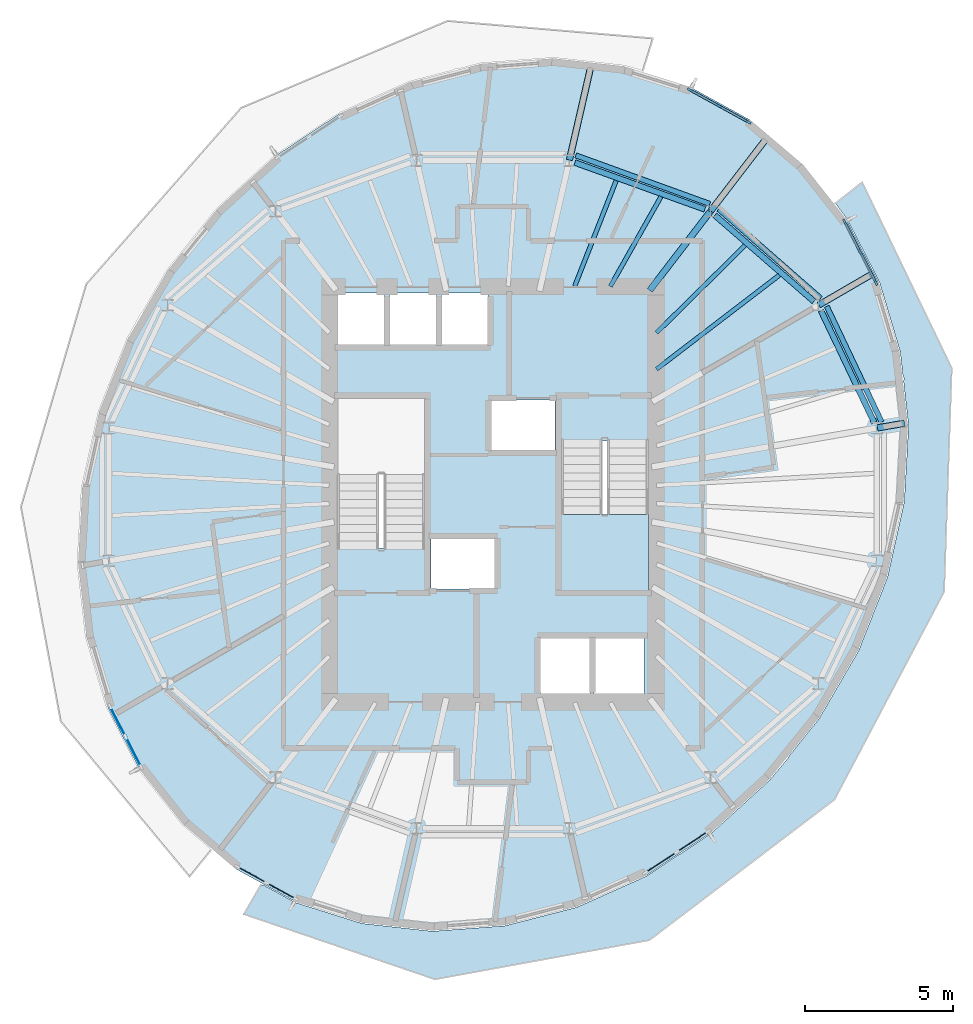
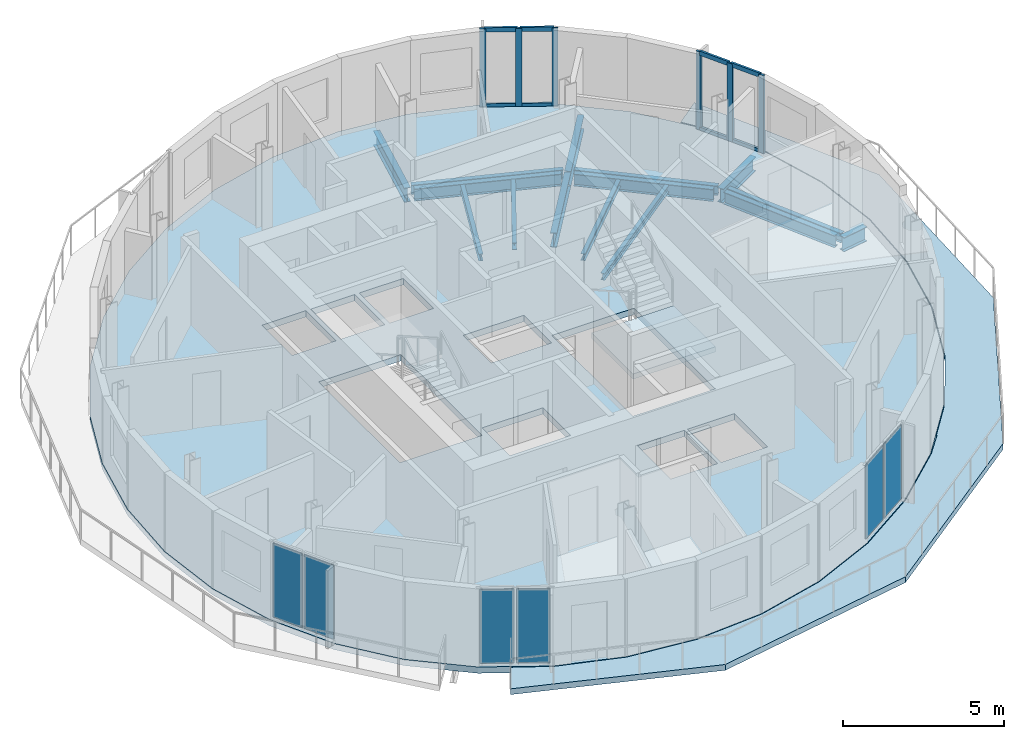
# One storey, part 3 of 11: 15 beams, 14 members, 6 plates, 3 slabs, 6 elements without a shape of their own.
"""IFC4 building model written with IfcOpenShell, lengths in metres."""

from ifc_helpers import new_model, si_unit, direction, frame, origin, origin_2d, place, context, subcontext, project, spatial, polyline, rectangle, i_section, outline, extrude, material, layer, layer_set, material_profile, profile_set, type_object, element, aggregate, save


model = new_model("IFC4")

# Units and contexts
model_context = context("Model", 3, precision=1e-05, world=origin(), true_north=direction((0.0, 1.0)))
body_context = subcontext(model_context, "Body", "Model", "MODEL_VIEW")
ifc_project = project(units=[si_unit("LENGTHUNIT", "METRE"), si_unit("AREAUNIT", "SQUARE_METRE"), si_unit("VOLUMEUNIT", "CUBIC_METRE"), si_unit("PLANEANGLEUNIT", "RADIAN"), si_unit("MASSUNIT", "GRAM", prefix="KILO")], contexts=[model_context])

# Site, building, storey
site_placement = place(None, origin())
site = spatial("IfcSite", under=ifc_project, at=site_placement, CompositionType="ELEMENT")
building_placement = place(site_placement, origin())
building = spatial("IfcBuilding", under=site, at=building_placement, Name="Veldorim Arch Residences", CompositionType="ELEMENT")
storey_placement = place(building_placement, frame((0.0, 0.0, 227.0400390625)))
storey = spatial("IfcBuildingStorey", under=building, at=storey_placement, Name="L68", CompositionType="ELEMENT", Elevation=227.0400390625)

# Beams
ifc_material_1 = material(Name="Steel S355", Category="steel")
ifc_material_profile_1 = material_profile(ifc_material_1, i_section(OverallWidth=0.2119140625, OverallDepth=0.54443359375, WebThickness=0.0126953125, FlangeThickness=0.021240234375, at=origin_2d()), Name="UB533x210x122")
ifc_profile_set_1 = profile_set([ifc_material_profile_1], Name="Steel S355")
beam_type_1 = type_object("IfcBeamType", Name="Structural Steel Beam UB533x210x122", PredefinedType="BEAM", material=ifc_profile_set_1)
beam_1_placement = place(storey_placement, frame((44.966064453125, 26.242919921875, -0.512451171875), z_axis=(0.985342848414, 0.170585670791, 0.0), x_axis=(-0.170585670791, 0.985342848414, 0.0)))
element("IfcBeam", 1, at=beam_1_placement, inside=storey, type_object=beam_type_1, Name="L68 radial edge cantilever girder 01", PredefinedType="BEAM", context=body_context, shape_type="SweptSolid", body=[
    extrude(i_section(OverallWidth=0.2119140625, OverallDepth=0.54443359375, WebThickness=0.0126953125, FlangeThickness=0.021240234375, at=origin_2d()), origin(), (0.0, 0.0, 1.0), 0.927490234375),
])
beam_2_placement = place(storey_placement, frame((42.99267578125, 30.387939453125, -0.512451171875), z_axis=(0.864613318974, 0.502437865465, 0.0), x_axis=(-0.502437865465, 0.864613318974, 0.0)))
element("IfcBeam", 2, at=beam_2_placement, inside=storey, type_object=beam_type_1, Name="L68 radial edge cantilever girder 02", PredefinedType="BEAM", context=body_context, shape_type="SweptSolid", body=[
    extrude(i_section(OverallWidth=0.2119140625, OverallDepth=0.54443359375, WebThickness=0.0126953125, FlangeThickness=0.021240234375, at=origin_2d()), origin(), (0.0, 0.0, 1.0), 2.045166015625),
])
beam_3_placement = place(storey_placement, frame((37.28662109375, 30.881103515625, -0.512451171875), z_axis=(0.609258442308, 0.792971721108, 0.0), x_axis=(-0.792971721108, 0.609258442308, 0.0)))
element("IfcBeam", 3, at=beam_3_placement, inside=storey, type_object=beam_type_1, Name="L68 radial floor girder 03", PredefinedType="BEAM", context=body_context, shape_type="SweptSolid", body=[
    extrude(i_section(OverallWidth=0.2119140625, OverallDepth=0.54443359375, WebThickness=0.0126953125, FlangeThickness=0.021240234375, at=origin_2d()), origin(), (0.0, 0.0, 1.0), 3.339599609375),
])
beam_4_placement = place(storey_placement, frame((39.345703125, 33.561279296875, -0.512451171875), z_axis=(0.609235463965, 0.792989375369, 0.0), x_axis=(-0.792989375369, 0.609235463965, 0.0)))
element("IfcBeam", 4, at=beam_4_placement, inside=storey, type_object=beam_type_1, Name="L68 radial edge cantilever girder 03", PredefinedType="BEAM", context=body_context, shape_type="SweptSolid", body=[
    extrude(i_section(OverallWidth=0.2119140625, OverallDepth=0.54443359375, WebThickness=0.0126953125, FlangeThickness=0.021240234375, at=origin_2d()), origin(), (0.0, 0.0, 1.0), 3.103759765625),
])
beam_5_placement = place(storey_placement, frame((34.57958984375, 35.27880859375, -0.512451171875), z_axis=(0.223019615736, 0.97481395712, 0.0), x_axis=(-0.97481395712, 0.223019615736, 0.0)))
element("IfcBeam", 5, at=beam_5_placement, inside=storey, type_object=beam_type_1, Name="L68 radial edge cantilever girder 04", PredefinedType="BEAM", context=body_context, shape_type="SweptSolid", body=[
    extrude(i_section(OverallWidth=0.2119140625, OverallDepth=0.54443359375, WebThickness=0.0126953125, FlangeThickness=0.021240234375, at=origin_2d()), origin(), (0.0, 0.0, 1.0), 3.2666015625),
])
ifc_material_2 = material(Name="Steel S355", Category="steel")
ifc_material_profile_2 = material_profile(ifc_material_2, i_section(OverallWidth=0.146484375, OverallDepth=0.256103515625, WebThickness=0.00634765625, FlangeThickness=0.010986328125, at=origin_2d()), Name="UB254x146x37")
ifc_profile_set_2 = profile_set([ifc_material_profile_2], Name="Steel S355")
beam_type_2 = type_object("IfcBeamType", Name="Structural Steel Joist UB254x146x37", PredefinedType="JOIST", material=ifc_profile_set_2)
beam_6_placement = place(storey_placement, frame((37.515869140625, 28.222900390625, -0.367919921875), z_axis=(0.794013672216, 0.607899899929, 0.0), x_axis=(-0.607899899929, 0.794013672216, 0.0)))
element("IfcBeam", 6, at=beam_6_placement, inside=storey, type_object=beam_type_2, Name="L68 secondary radial floor joist 02-1", PredefinedType="JOIST", context=body_context, shape_type="SweptSolid", body=[
    extrude(i_section(OverallWidth=0.146484375, OverallDepth=0.256103515625, WebThickness=0.00634765625, FlangeThickness=0.010986328125, at=origin_2d()), origin(), (0.0, 0.0, 1.0), 5.217041015625),
])
beam_7_placement = place(storey_placement, frame((37.51416015625, 29.44775390625, -0.367919921875), z_axis=(0.711396725432, 0.702790650937, 0.0), x_axis=(-0.702790650937, 0.711396725432, 0.0)))
element("IfcBeam", 7, at=beam_7_placement, inside=storey, type_object=beam_type_2, Name="L68 secondary radial floor joist 02-2", PredefinedType="JOIST", context=body_context, shape_type="SweptSolid", body=[
    extrude(i_section(OverallWidth=0.146484375, OverallDepth=0.256103515625, WebThickness=0.00634765625, FlangeThickness=0.010986328125, at=origin_2d()), origin(), (0.0, 0.0, 1.0), 4.198486328125),
])
beam_8_placement = place(storey_placement, frame((35.960205078125, 31.017333984375, -0.367919921875), z_axis=(0.491452469585, 0.870904397818, 0.0), x_axis=(-0.870904397818, 0.491452469585, 0.0)))
element("IfcBeam", 8, at=beam_8_placement, inside=storey, type_object=beam_type_2, Name="L68 secondary radial floor joist 03-1", PredefinedType="JOIST", context=body_context, shape_type="SweptSolid", body=[
    extrude(i_section(OverallWidth=0.146484375, OverallDepth=0.256103515625, WebThickness=0.00634765625, FlangeThickness=0.010986328125, at=origin_2d()), origin(), (0.0, 0.0, 1.0), 3.472412109375),
])
beam_9_placement = place(storey_placement, frame((34.75634765625, 31.0185546875, -0.367919921875), z_axis=(0.365581383042, 0.930779379001, 0.0), x_axis=(-0.930779379001, 0.365581383042, 0.0)))
element("IfcBeam", 9, at=beam_9_placement, inside=storey, type_object=beam_type_2, Name="L68 secondary radial floor joist 03-2", PredefinedType="JOIST", context=body_context, shape_type="SweptSolid", body=[
    extrude(i_section(OverallWidth=0.146484375, OverallDepth=0.256103515625, WebThickness=0.00634765625, FlangeThickness=0.010986328125, at=origin_2d()), origin(), (0.0, 0.0, 1.0), 3.83056640625),
])
ifc_material_3 = material(Name="Steel S355", Category="steel")
ifc_material_profile_3 = material_profile(ifc_material_3, i_section(OverallWidth=0.172119140625, OverallDepth=0.35791015625, WebThickness=0.008056640625, FlangeThickness=0.012939453125, at=origin_2d()), Name="UB356x171x57")
ifc_profile_set_3 = profile_set([ifc_material_profile_3], Name="Steel S355")
beam_type_3 = type_object("IfcBeamType", Name="Structural Steel Spandrel UB356x171x57", PredefinedType="SPANDREL", material=ifc_profile_set_3)
beam_10_placement = place(storey_placement, frame((45.107666015625, 26.439208984375, -0.43896484375), z_axis=(-0.428453398876, 0.903563879862, 0.0), x_axis=(-0.903563879862, -0.428453398876, 0.0)))
element("IfcBeam", 10, at=beam_10_placement, inside=storey, type_object=beam_type_3, Name="L68 perimeter chord spandrel beam 01", PredefinedType="SPANDREL", context=body_context, shape_type="SweptSolid", body=[
    extrude(i_section(OverallWidth=0.172119140625, OverallDepth=0.35791015625, WebThickness=0.008056640625, FlangeThickness=0.012939453125, at=origin_2d()), origin(), (0.0, 0.0, 1.0), 4.31689453125),
])
beam_11_placement = place(storey_placement, frame((43.05078125, 30.614013671875, -0.43896484375), z_axis=(-0.752901089301, 0.658133686821, 0.0), x_axis=(-0.658133686821, -0.752901089301, 0.0)))
element("IfcBeam", 11, at=beam_11_placement, inside=storey, type_object=beam_type_3, Name="L68 perimeter chord spandrel beam 02", PredefinedType="SPANDREL", context=body_context, shape_type="SweptSolid", body=[
    extrude(i_section(OverallWidth=0.172119140625, OverallDepth=0.35791015625, WebThickness=0.008056640625, FlangeThickness=0.012939453125, at=origin_2d()), origin(), (0.0, 0.0, 1.0), 4.567626953125),
])
beam_12_placement = place(storey_placement, frame((39.314697265625, 33.79541015625, -0.43896484375), z_axis=(-0.940181197783, 0.340674794099, 0.0), x_axis=(-0.340674794099, -0.940181197783, 0.0)))
element("IfcBeam", 12, at=beam_12_placement, inside=storey, type_object=beam_type_3, Name="L68 perimeter chord spandrel beam 03", PredefinedType="SPANDREL", context=body_context, shape_type="SweptSolid", body=[
    extrude(i_section(OverallWidth=0.172119140625, OverallDepth=0.35791015625, WebThickness=0.008056640625, FlangeThickness=0.012939453125, at=origin_2d()), origin(), (0.0, 0.0, 1.0), 4.80859375),
])
ifc_material_4 = material(Name="Steel S355", Category="steel")
ifc_material_profile_4 = material_profile(ifc_material_4, i_section(OverallWidth=0.19140625, OverallDepth=0.4599609375, WebThickness=0.010009765625, FlangeThickness=0.01611328125, at=origin_2d()), Name="UB457x191x82")
ifc_profile_set_4 = profile_set([ifc_material_profile_4], Name="Steel S355")
beam_type_4 = type_object("IfcBeamType", Name="Structural Steel Spandrel UB457x191x82", PredefinedType="SPANDREL", material=ifc_profile_set_4)
beam_13_placement = place(storey_placement, frame((44.860595703125, 26.419677734375, -0.469970703125), z_axis=(-0.42997887291, 0.902838949564, 0.0), x_axis=(-0.902838949564, -0.42997887291, 0.0)))
element("IfcBeam", 13, at=beam_13_placement, inside=storey, type_object=beam_type_4, Name="L68 perimeter ring tie beam 01", PredefinedType="SPANDREL", context=body_context, shape_type="SweptSolid", body=[
    extrude(i_section(OverallWidth=0.19140625, OverallDepth=0.4599609375, WebThickness=0.010009765625, FlangeThickness=0.01611328125, at=origin_2d()), origin(), (0.0, 0.0, 1.0), 4.1845703125),
])
beam_14_placement = place(storey_placement, frame((42.824951171875, 30.5087890625, -0.469970703125), z_axis=(-0.754578219063, 0.656210112171, 0.0), x_axis=(-0.656210112171, -0.754578219063, 0.0)))
element("IfcBeam", 14, at=beam_14_placement, inside=storey, type_object=beam_type_4, Name="L68 perimeter ring tie beam 02", PredefinedType="SPANDREL", context=body_context, shape_type="SweptSolid", body=[
    extrude(i_section(OverallWidth=0.19140625, OverallDepth=0.4599609375, WebThickness=0.010009765625, FlangeThickness=0.01611328125, at=origin_2d()), origin(), (0.0, 0.0, 1.0), 4.427734375),
])
beam_15_placement = place(storey_placement, frame((39.145751953125, 33.61279296875, -0.469970703125), z_axis=(-0.940799194754, 0.338964415757, 0.0), x_axis=(-0.338964415757, -0.940799194754, 0.0)))
element("IfcBeam", 15, at=beam_15_placement, inside=storey, type_object=beam_type_4, Name="L68 perimeter ring tie beam 03", PredefinedType="SPANDREL", context=body_context, shape_type="SweptSolid", body=[
    extrude(i_section(OverallWidth=0.19140625, OverallDepth=0.4599609375, WebThickness=0.010009765625, FlangeThickness=0.01611328125, at=origin_2d()), origin(), (0.0, 0.0, 1.0), 4.65869140625),
])

# Curtain wall, members
ifc_material_5 = material(Name="Aluminium", Category="aluminium")
curtain_wall_type = type_object("IfcCurtainWallType", Name="Zone 4 High-Altitude Unitised Curtain Wall", PredefinedType="NOTDEFINED", material=ifc_material_5)
curtain_wall_1_placement = place(storey_placement, origin())
curtain_wall_1 = element("IfcCurtainWall", 16, at=curtain_wall_1_placement, inside=storey, type_object=curtain_wall_type, Name="L68 unitised curtain wall bay 01", PredefinedType="NOTDEFINED")
ifc_material_6 = material(Name="Aluminium", Category="aluminium")
ifc_material_profile_5 = material_profile(ifc_material_6, rectangle(XDim=0.074951171875, YDim=0.195068359375, at=origin_2d()), Name="ALU_MUL_75x195")
ifc_profile_set_5 = profile_set([ifc_material_profile_5], Name="Aluminium")
member_type_1 = type_object("IfcMemberType", Name="Zone 4 High-Altitude Unitised Curtain Wall Mullion 75x195", PredefinedType="MULLION", material=ifc_profile_set_5)
member_1_placement = place(storey_placement, frame((38.64306640625, 37.639892578125, 0.0), z_axis=(0.0, 0.0, 1.0), x_axis=(0.48195342655, 0.876196835555, 0.0)))
member_1 = element("IfcMember", 17, at=member_1_placement, type_object=member_type_1, Name="CW-Z4 mullion 1", PredefinedType="MULLION", context=body_context, shape_type="SweptSolid", body=[
    extrude(rectangle(XDim=0.074951171875, YDim=0.195068359375, at=origin_2d()), origin(), (0.0, 0.0, 1.0), 2.9599609375),
])
member_2_placement = place(storey_placement, frame((39.628662109375, 37.097900390625, 0.0), z_axis=(0.0, 0.0, 1.0), x_axis=(0.48195342655, 0.876196835555, 0.0)))
member_2 = element("IfcMember", 18, at=member_2_placement, type_object=member_type_1, Name="CW-Z4 mullion 2", PredefinedType="MULLION", context=body_context, shape_type="SweptSolid", body=[
    extrude(rectangle(XDim=0.074951171875, YDim=0.195068359375, at=origin_2d()), origin(), (0.0, 0.0, 1.0), 2.9599609375),
])
member_3_placement = place(storey_placement, frame((40.6142578125, 36.5556640625, 0.0), z_axis=(0.0, 0.0, 1.0), x_axis=(0.48195342655, 0.876196835555, 0.0)))
member_3 = element("IfcMember", 19, at=member_3_placement, type_object=member_type_1, Name="CW-Z4 mullion 3", PredefinedType="MULLION", context=body_context, shape_type="SweptSolid", body=[
    extrude(rectangle(XDim=0.074951171875, YDim=0.195068359375, at=origin_2d()), origin(), (0.0, 0.0, 1.0), 2.9599609375),
])

curtain_wall_2_placement = place(storey_placement, origin())
curtain_wall_2 = element("IfcCurtainWall", 20, at=curtain_wall_2_placement, inside=storey, type_object=curtain_wall_type, Name="L68 unitised curtain wall bay 34", PredefinedType="NOTDEFINED")
member_4_placement = place(storey_placement, frame((43.85546875, 33.19677734375, 0.0), z_axis=(0.0, 0.0, 1.0), x_axis=(0.889131048935, 0.457652682523, 0.0)))
member_4 = element("IfcMember", 21, at=member_4_placement, type_object=member_type_1, Name="CW-Z4 mullion 1", PredefinedType="MULLION", context=body_context, shape_type="SweptSolid", body=[
    extrude(rectangle(XDim=0.074951171875, YDim=0.195068359375, at=origin_2d()), origin(), (0.0, 0.0, 1.0), 2.9599609375),
])
member_5_placement = place(storey_placement, frame((44.384521484375, 32.16845703125, 0.0), z_axis=(0.0, 0.0, 1.0), x_axis=(0.889131048935, 0.457652682523, 0.0)))
member_5 = element("IfcMember", 22, at=member_5_placement, type_object=member_type_1, Name="CW-Z4 mullion 2", PredefinedType="MULLION", context=body_context, shape_type="SweptSolid", body=[
    extrude(rectangle(XDim=0.074951171875, YDim=0.195068359375, at=origin_2d()), origin(), (0.0, 0.0, 1.0), 2.9599609375),
])
member_6_placement = place(storey_placement, frame((44.913818359375, 31.140380859375, 0.0), z_axis=(0.0, 0.0, 1.0), x_axis=(0.889131048935, 0.457652682523, 0.0)))
member_6 = element("IfcMember", 23, at=member_6_placement, type_object=member_type_1, Name="CW-Z4 mullion 3", PredefinedType="MULLION", context=body_context, shape_type="SweptSolid", body=[
    extrude(rectangle(XDim=0.074951171875, YDim=0.195068359375, at=origin_2d()), origin(), (0.0, 0.0, 1.0), 2.9599609375),
])

# Member
ifc_material_7 = material(Name="Aluminium", Category="aluminium")
ifc_material_profile_6 = material_profile(ifc_material_7, rectangle(XDim=0.074951171875, YDim=0.1650390625, at=origin_2d()), Name="ALU_TRN_75x165")
ifc_profile_set_6 = profile_set([ifc_material_profile_6], Name="Aluminium")
member_type_2 = type_object("IfcMemberType", Name="Zone 4 High-Altitude Unitised Curtain Wall Transom 75x165", PredefinedType="USERDEFINED", material=ifc_profile_set_6)
member_7_placement = place(storey_placement, frame((38.676025390625, 37.621826171875, 0.037353515625), z_axis=(0.876255185149, -0.481847331112, 0.0), x_axis=(0.481847331112, 0.876255185149, 0.0)))
member_7 = element("IfcMember", 24, at=member_7_placement, type_object=member_type_2, Name="CW-Z4 transom 1.1", ObjectType="TRANSOM", PredefinedType="USERDEFINED", context=body_context, shape_type="SweptSolid", body=[
    extrude(rectangle(XDim=0.074951171875, YDim=0.1650390625, at=origin_2d()), origin(), (0.0, 0.0, 1.0), 1.0498046875),
])

member_8_placement = place(storey_placement, frame((38.676025390625, 37.621826171875, 2.92236328125), z_axis=(0.876255185149, -0.481847331112, 0.0), x_axis=(0.481847331112, 0.876255185149, 0.0)))
member_8 = element("IfcMember", 25, at=member_8_placement, type_object=member_type_2, Name="CW-Z4 transom 1.2", ObjectType="TRANSOM", PredefinedType="USERDEFINED", context=body_context, shape_type="SweptSolid", body=[
    extrude(rectangle(XDim=0.074951171875, YDim=0.1650390625, at=origin_2d()), origin(), (0.0, 0.0, 1.0), 1.0498046875),
])

member_9_placement = place(storey_placement, frame((39.66162109375, 37.079833984375, 0.037353515625), z_axis=(0.876156989658, -0.482025859756, 0.0), x_axis=(0.482025859756, 0.876156989658, 0.0)))
member_9 = element("IfcMember", 26, at=member_9_placement, type_object=member_type_2, Name="CW-Z4 transom 2.1", ObjectType="TRANSOM", PredefinedType="USERDEFINED", context=body_context, shape_type="SweptSolid", body=[
    extrude(rectangle(XDim=0.074951171875, YDim=0.1650390625, at=origin_2d()), origin(), (0.0, 0.0, 1.0), 1.050048828125),
])

member_10_placement = place(storey_placement, frame((39.66162109375, 37.079833984375, 2.92236328125), z_axis=(0.876156989658, -0.482025859756, 0.0), x_axis=(0.482025859756, 0.876156989658, 0.0)))
member_10 = element("IfcMember", 27, at=member_10_placement, type_object=member_type_2, Name="CW-Z4 transom 2.2", ObjectType="TRANSOM", PredefinedType="USERDEFINED", context=body_context, shape_type="SweptSolid", body=[
    extrude(rectangle(XDim=0.074951171875, YDim=0.1650390625, at=origin_2d()), origin(), (0.0, 0.0, 1.0), 1.050048828125),
])

aggregate(curtain_wall_1, [member_1, member_2, member_3, member_7, member_8, member_9, member_10])

member_11_placement = place(storey_placement, frame((43.87255859375, 33.163330078125, 0.037353515625), z_axis=(0.457659181253, -0.889127703885, 0.0), x_axis=(0.889127703885, 0.457659181253, 0.0)))
member_11 = element("IfcMember", 28, at=member_11_placement, type_object=member_type_2, Name="CW-Z4 transom 1.1", ObjectType="TRANSOM", PredefinedType="USERDEFINED", context=body_context, shape_type="SweptSolid", body=[
    extrude(rectangle(XDim=0.074951171875, YDim=0.1650390625, at=origin_2d()), origin(), (0.0, 0.0, 1.0), 1.081298828125),
])

member_12_placement = place(storey_placement, frame((43.87255859375, 33.163330078125, 2.92236328125), z_axis=(0.457659181253, -0.889127703885, 0.0), x_axis=(0.889127703885, 0.457659181253, 0.0)))
member_12 = element("IfcMember", 29, at=member_12_placement, type_object=member_type_2, Name="CW-Z4 transom 1.2", ObjectType="TRANSOM", PredefinedType="USERDEFINED", context=body_context, shape_type="SweptSolid", body=[
    extrude(rectangle(XDim=0.074951171875, YDim=0.1650390625, at=origin_2d()), origin(), (0.0, 0.0, 1.0), 1.081298828125),
])

member_13_placement = place(storey_placement, frame((44.40185546875, 32.13525390625, 0.037353515625), z_axis=(0.457567322801, -0.889174980026, 0.0), x_axis=(0.889174980026, 0.457567322801, 0.0)))
member_13 = element("IfcMember", 30, at=member_13_placement, type_object=member_type_2, Name="CW-Z4 transom 2.1", ObjectType="TRANSOM", PredefinedType="USERDEFINED", context=body_context, shape_type="SweptSolid", body=[
    extrude(rectangle(XDim=0.074951171875, YDim=0.1650390625, at=origin_2d()), origin(), (0.0, 0.0, 1.0), 1.08154296875),
])

member_14_placement = place(storey_placement, frame((44.40185546875, 32.13525390625, 2.92236328125), z_axis=(0.457567322801, -0.889174980026, 0.0), x_axis=(0.889174980026, 0.457567322801, 0.0)))
member_14 = element("IfcMember", 31, at=member_14_placement, type_object=member_type_2, Name="CW-Z4 transom 2.2", ObjectType="TRANSOM", PredefinedType="USERDEFINED", context=body_context, shape_type="SweptSolid", body=[
    extrude(rectangle(XDim=0.074951171875, YDim=0.1650390625, at=origin_2d()), origin(), (0.0, 0.0, 1.0), 1.08154296875),
])

aggregate(curtain_wall_2, [member_4, member_5, member_6, member_11, member_12, member_13, member_14])

# Slab
ifc_material_8 = material(Name="Concrete C40/50", Category="concrete")
ifc_layer_1 = layer(ifc_material_8, 0.219970703125, Name="Planted Crescent Cantilever Balcony Slab 220")
ifc_layer_set_1 = layer_set([ifc_layer_1], Name="Concrete C40/50")
slab_type_1 = type_object("IfcSlabType", Name="Planted Crescent Cantilever Balcony Slab 220", PredefinedType="FLOOR", material=ifc_layer_set_1)
slab_1_placement = place(storey_placement, frame((0.0, 0.0, -0.219970703125)))
element("IfcSlab", 32, at=slab_1_placement, inside=storey, type_object=slab_type_1, Name="L68 planted crescent balcony slab B", PredefinedType="FLOOR", context=body_context, shape_type="SweptSolid", body=[
    extrude(outline(polyline([(24.3037109375, 10.80810546875), (25.33642578125, 10.239990234375), (27.580078125, 9.535400390625), (29.9580078125, 9.270751953125), (32.397705078125, 9.45361328125), (34.8251953125, 10.078369140625), (37.16650390625, 11.1259765625), (39.35107421875, 12.564697265625), (41.31201171875, 14.3505859375), (41.93212890625, 15.08447265625), (41.990478515625, 15.19140625), (42.989990234375, 16.4296875), (44.33447265625, 18.73876953125), (45.30419921875, 21.20751953125), (45.869873046875, 23.76123046875), (46.014404296875, 26.322265625), (45.847412109375, 27.79931640625), (45.8583984375, 27.9248046875), (45.8232421875, 28.014404296875), (45.73291015625, 28.81298828125), (45.0341796875, 31.15771484375), (43.939208984375, 33.284912109375), (43.546142578125, 33.817138671875), (44.449462890625, 34.52880859375), (47.470947265625, 28.262939453125), (47.212890625, 20.7119140625), (43.517822265625, 13.707763671875), (37.28125, 8.970947265625), (30.0439453125, 7.64990234375), (23.59912109375, 9.8466796875), (24.1767578125, 10.8408203125), (24.3037109375, 10.80810546875)])), origin(), (0.0, 0.0, 1.0), 0.219970703125),
])

# Stair, slab
ifc_material_9 = material(Name="Concrete C40/50", Category="concrete")
stair_type = type_object("IfcStairType", Name="Reinforced Concrete Dogleg Exit Staircase", PredefinedType="HALF_TURN_STAIR", material=ifc_material_9)
stair_placement = place(storey_placement, origin())
stair = element("IfcStair", 33, at=stair_placement, inside=storey, type_object=stair_type, Name="L68 Exit Staircase ST-2", PredefinedType="HALF_TURN_STAIR")
ifc_material_10 = material(Name="Concrete C40/50", Category="concrete")
ifc_layer_2 = layer(ifc_material_10, 0.199951171875, Name="Reinforced Concrete Stair Landing 200")
ifc_layer_set_2 = layer_set([ifc_layer_2], Name="Concrete C40/50")
slab_type_2 = type_object("IfcSlabType", Name="Reinforced Concrete Stair Landing 200", PredefinedType="LANDING", material=ifc_layer_set_2)
slab_2_placement = place(storey_placement, frame((0.0, 0.0, 1.39990234375)))
slab_2 = element("IfcSlab", 34, at=slab_2_placement, type_object=slab_type_2, Name="ST-2 landing 1", PredefinedType="LANDING", context=body_context, shape_type="SweptSolid", body=[
    extrude(outline(polyline([(34.2900390625, 23.330078125), (34.2900390625, 20.75), (37.25, 20.75), (37.25, 23.330078125), (34.2900390625, 23.330078125)])), origin(), (0.0, 0.0, 1.0), 0.199951171875),
])
aggregate(stair, [slab_2])

# Slab
ifc_material_11 = material(Name="Concrete C40/50", Category="concrete")
ifc_layer_3 = layer(ifc_material_11, 0.239990234375, Name="Typical Residential Floor Slab 240")
ifc_layer_set_3 = layer_set([ifc_layer_3], Name="Concrete C40/50")
slab_type_3 = type_object("IfcSlabType", Name="Typical Residential Floor Slab 240", PredefinedType="FLOOR", material=ifc_layer_set_3)
slab_3_placement = place(storey_placement, frame((0.0, 0.0, -0.239990234375)))
element("IfcSlab", 35, at=slab_3_placement, inside=storey, type_object=slab_type_3, Name="L68 tower structural floor slab", PredefinedType="FLOOR", context=body_context, shape_type="SweptSolid", body=[
    extrude(outline(polyline([(40.690673828125, 36.616455078125), (38.65380859375, 37.73681640625), (36.414794921875, 38.43994140625), (34.04150390625, 38.7041015625), (31.606201171875, 38.521728515625), (29.18310546875, 37.89794921875), (26.845458984375, 36.85205078125), (24.664306640625, 35.415283203125), (22.706298828125, 33.632080078125), (21.030517578125, 31.555908203125), (19.68798828125, 29.25048828125), (18.7197265625, 26.78515625), (18.15478515625, 24.2353515625), (18.0107421875, 21.678466796875), (18.29150390625, 19.192138671875), (18.989013671875, 16.851806640625), (20.081787109375, 14.728759765625), (21.53662109375, 12.88720703125), (23.309326171875, 11.383544921875), (25.34619140625, 10.26318359375), (27.585205078125, 9.56005859375), (29.95849609375, 9.2958984375), (32.393798828125, 9.478271484375), (34.81689453125, 10.10205078125), (37.154541015625, 11.14794921875), (39.335693359375, 12.584716796875), (41.293701171875, 14.367919921875), (42.969482421875, 16.444091796875), (44.31201171875, 18.74951171875), (45.2802734375, 21.21484375), (45.84521484375, 23.7646484375), (45.9892578125, 26.321533203125), (45.70849609375, 28.807861328125), (45.010986328125, 31.148193359375), (43.918212890625, 33.271240234375), (42.46337890625, 35.11279296875), (40.690673828125, 36.616455078125)]), holes=[polyline([(33.610107421875, 17.2099609375), (33.610107421875, 19.2900390625), (35.2900390625, 19.2900390625), (35.2900390625, 17.2099609375), (33.610107421875, 17.2099609375)]), polyline([(35.409912109375, 17.2099609375), (35.409912109375, 19.2900390625), (37.090087890625, 19.2900390625), (37.090087890625, 17.2099609375), (35.409912109375, 17.2099609375)]), polyline([(29.909912109375, 20.81494140625), (29.909912109375, 22.544921875), (32.090087890625, 22.544921875), (32.090087890625, 20.81494140625), (29.909912109375, 20.81494140625)]), polyline([(34.2900390625, 20.75), (34.2900390625, 25.804931640625), (37.25, 25.804931640625), (37.25, 20.75), (34.2900390625, 20.75)]), polyline([(26.75, 22.195068359375), (26.75, 27.25), (29.7099609375, 27.25), (29.7099609375, 22.195068359375), (26.75, 22.195068359375)]), polyline([(31.909912109375, 25.455078125), (31.909912109375, 27.18505859375), (34.090087890625, 27.18505859375), (34.090087890625, 25.455078125), (31.909912109375, 25.455078125)]), polyline([(26.760009765625, 28.909912109375), (26.760009765625, 30.7900390625), (28.340087890625, 30.7900390625), (28.340087890625, 28.909912109375), (26.760009765625, 28.909912109375)]), polyline([(28.510009765625, 30.7900390625), (30.090087890625, 30.7900390625), (30.090087890625, 28.909912109375), (28.510009765625, 28.909912109375), (28.510009765625, 30.7900390625)]), polyline([(30.260009765625, 30.7900390625), (31.840087890625, 30.7900390625), (31.840087890625, 28.909912109375), (30.260009765625, 28.909912109375), (30.260009765625, 30.7900390625)])]), origin(), (0.0, 0.0, 1.0), 0.239990234375),
])

# Curtain wall, plates
curtain_wall_3_placement = place(storey_placement, origin())
curtain_wall_3 = element("IfcCurtainWall", 36, at=curtain_wall_3_placement, inside=storey, type_object=curtain_wall_type, Name="L68 unitised curtain wall bay 16", PredefinedType="NOTDEFINED")
ifc_material_12 = material(Name="Laminated Low-E Glass", Category="glass")
ifc_layer_4 = layer(ifc_material_12, 0.030029296875, Name="Zone 4 High-Altitude Unitised Curtain Wall Glazing Panel 30")
ifc_layer_set_4 = layer_set([ifc_layer_4], Name="Laminated Low-E Glass")
plate_type = type_object("IfcPlateType", Name="Zone 4 High-Altitude Unitised Curtain Wall Glazing Panel 30", PredefinedType="CURTAIN_PANEL", material=ifc_layer_set_4)
plate_1_placement = place(storey_placement, frame((19.880126953125, 15.3173828125, 0.074951171875), z_axis=(0.0, 0.0, 1.0), x_axis=(-0.457652682523, 0.889131048935, 0.0)))
plate_1 = element("IfcPlate", 37, at=plate_1_placement, type_object=plate_type, Name="CW-Z4 panel 1.1", PredefinedType="CURTAIN_PANEL", context=body_context, shape_type="SweptSolid", body=[
    extrude(rectangle(XDim=1.081298828125, YDim=0.030029296875, at=origin_2d()), origin(), (0.0, 0.0, 1.0), 2.81005859375),
])
plate_2_placement = place(storey_placement, frame((19.350830078125, 16.345458984375, 0.074951171875), z_axis=(0.0, 0.0, 1.0), x_axis=(-0.457652682523, 0.889131048935, 0.0)))
plate_2 = element("IfcPlate", 38, at=plate_2_placement, type_object=plate_type, Name="CW-Z4 panel 2.1", PredefinedType="CURTAIN_PANEL", context=body_context, shape_type="SweptSolid", body=[
    extrude(rectangle(XDim=1.081298828125, YDim=0.030029296875, at=origin_2d()), origin(), (0.0, 0.0, 1.0), 2.81005859375),
])
aggregate(curtain_wall_3, [plate_1, plate_2])

curtain_wall_4_placement = place(storey_placement, origin())
curtain_wall_4 = element("IfcCurtainWall", 39, at=curtain_wall_4_placement, inside=storey, type_object=curtain_wall_type, Name="L68 unitised curtain wall bay 19", PredefinedType="NOTDEFINED")
plate_3_placement = place(storey_placement, frame((24.864013671875, 10.631103515625, 0.074951171875), z_axis=(0.0, 0.0, 1.0), x_axis=(-0.876196835555, 0.48195342655, 0.0)))
plate_3 = element("IfcPlate", 40, at=plate_3_placement, type_object=plate_type, Name="CW-Z4 panel 1.1", PredefinedType="CURTAIN_PANEL", context=body_context, shape_type="SweptSolid", body=[
    extrude(rectangle(XDim=1.0498046875, YDim=0.030029296875, at=origin_2d()), origin(), (0.0, 0.0, 1.0), 2.81005859375),
])
plate_4_placement = place(storey_placement, frame((23.87841796875, 11.17333984375, 0.074951171875), z_axis=(0.0, 0.0, 1.0), x_axis=(-0.876196835555, 0.48195342655, 0.0)))
plate_4 = element("IfcPlate", 41, at=plate_4_placement, type_object=plate_type, Name="CW-Z4 panel 2.1", PredefinedType="CURTAIN_PANEL", context=body_context, shape_type="SweptSolid", body=[
    extrude(rectangle(XDim=1.0498046875, YDim=0.030029296875, at=origin_2d()), origin(), (0.0, 0.0, 1.0), 2.81005859375),
])
aggregate(curtain_wall_4, [plate_3, plate_4])

curtain_wall_5_placement = place(storey_placement, origin())
curtain_wall_5 = element("IfcCurtainWall", 42, at=curtain_wall_5_placement, inside=storey, type_object=curtain_wall_type, Name="L68 unitised curtain wall bay 25", PredefinedType="NOTDEFINED")
plate_5_placement = place(storey_placement, frame((38.72509765625, 12.290283203125, 0.074951171875), z_axis=(0.0, 0.0, 1.0), x_axis=(-0.835124104582, -0.550061569233, 0.0)))
plate_5 = element("IfcPlate", 43, at=plate_5_placement, type_object=plate_type, Name="CW-Z4 panel 1.1", PredefinedType="CURTAIN_PANEL", context=body_context, shape_type="SweptSolid", body=[
    extrude(rectangle(XDim=1.193359375, YDim=0.030029296875, at=origin_2d()), origin(), (0.0, 0.0, 1.0), 2.81005859375),
])
plate_6_placement = place(storey_placement, frame((37.666015625, 11.5927734375, 0.074951171875), z_axis=(0.0, 0.0, 1.0), x_axis=(-0.835124104582, -0.550061569233, 0.0)))
plate_6 = element("IfcPlate", 44, at=plate_6_placement, type_object=plate_type, Name="CW-Z4 panel 2.1", PredefinedType="CURTAIN_PANEL", context=body_context, shape_type="SweptSolid", body=[
    extrude(rectangle(XDim=1.193359375, YDim=0.030029296875, at=origin_2d()), origin(), (0.0, 0.0, 1.0), 2.81005859375),
])
aggregate(curtain_wall_5, [plate_5, plate_6])

save(model, "model.ifc")
